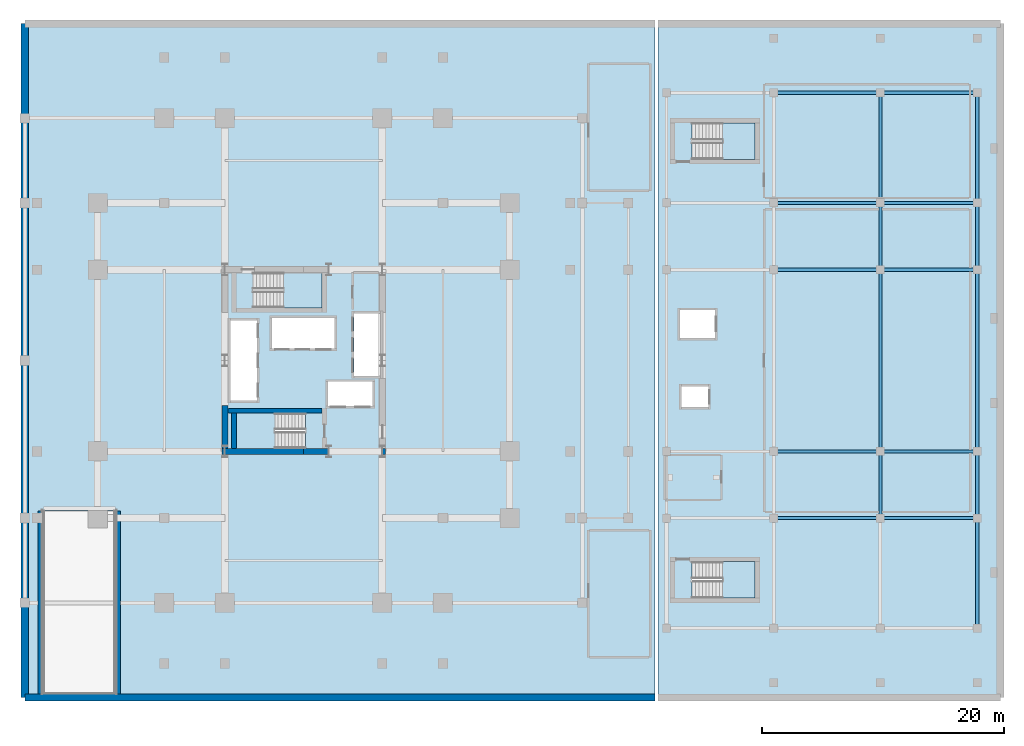
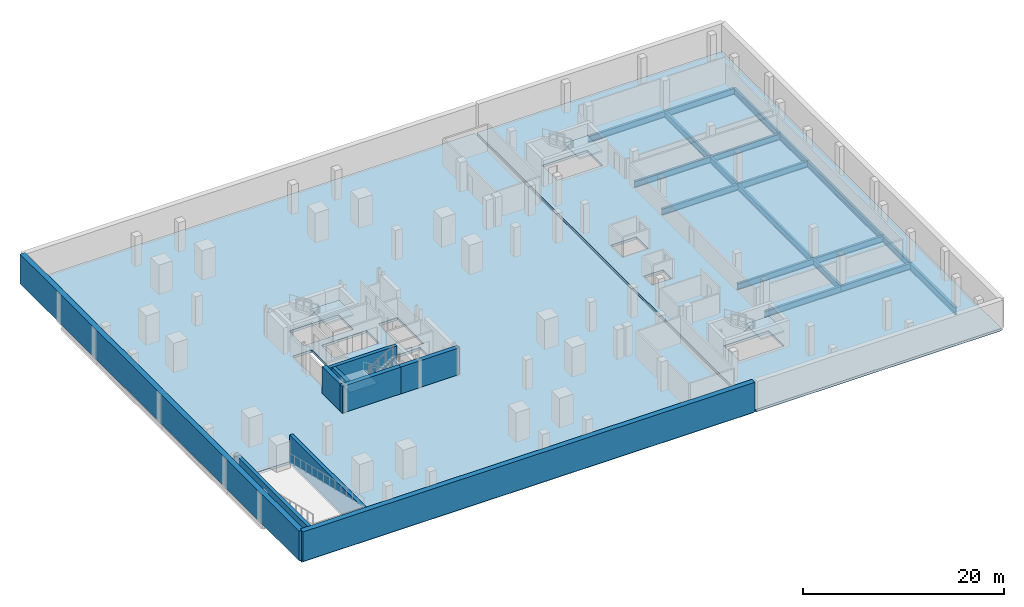
# One storey, part 3 of 11: 19 beams, 9 walls, 6 slabs, 4 elements without a shape of their own.
"""IFC4 building model written with IfcOpenShell, lengths in metres."""

from ifc_helpers import new_model, si_unit, direction, frame, frame_2d, origin, origin_2d, place, context, subcontext, project, spatial, polyline, rectangle, i_section, outline, extrude, material, layer, layer_set, material_profile, profile_set, type_object, element, aggregate, save


model = new_model("IFC4")

# Units and contexts
model_context = context("Model", 3, precision=1e-05, world=origin(), true_north=direction((0.0, 1.0)))
body_context = subcontext(model_context, "Body", "Model", "MODEL_VIEW")
ifc_project = project(units=[si_unit("LENGTHUNIT", "METRE"), si_unit("AREAUNIT", "SQUARE_METRE"), si_unit("VOLUMEUNIT", "CUBIC_METRE"), si_unit("PLANEANGLEUNIT", "RADIAN"), si_unit("MASSUNIT", "GRAM", prefix="KILO")], contexts=[model_context])

# Site, building, storey
site_placement = place(None, origin())
site = spatial("IfcSite", under=ifc_project, at=site_placement, CompositionType="ELEMENT")
building_placement = place(site_placement, origin())
building = spatial("IfcBuilding", under=site, at=building_placement, Name="Barlavira Tower and Art Museum", CompositionType="ELEMENT")
storey_placement = place(building_placement, frame((0.0, 0.0, -3.60009765625)))
storey = spatial("IfcBuildingStorey", under=building, at=storey_placement, Name="B01", CompositionType="ELEMENT", Elevation=-3.60009765625)

# Beams
ifc_material_1 = material(Name="Steel S355", Category="steel")
ifc_material_profile_1 = material_profile(ifc_material_1, i_section(OverallWidth=0.2939453125, OverallDepth=0.85107421875, WebThickness=0.017333984375, FlangeThickness=0.0283203125, at=origin_2d()), Name="W840x251.0")
ifc_profile_set_1 = profile_set([ifc_material_profile_1], Name="Steel S355")
beam_type_1 = type_object("IfcBeamType", Name="Museum Auditorium Heavy Girder W840x251 Steel S355", PredefinedType="BEAM", material=ifc_profile_set_1)
beam_1_placement = place(storey_placement, frame((55.60009765625, -22.10009765625, -0.725341796875), z_axis=(0.0, 1.0, 0.0), x_axis=(-1.0, 0.0, 0.0)))
element("IfcBeam", 1, at=beam_1_placement, inside=storey, type_object=beam_type_1, Name="B01 Museum Girder Y 4-1", PredefinedType="BEAM", context=body_context, shape_type="SweptSolid", body=[
    extrude(i_section(OverallWidth=0.2939453125, OverallDepth=0.85107421875, WebThickness=0.017333984375, FlangeThickness=0.0283203125, at=origin_2d()), origin(), (0.0, 0.0, 1.0), 9.10009765625),
])
ifc_material_profile_2 = material_profile(ifc_material_1, i_section(OverallWidth=0.26904296875, OverallDepth=0.76806640625, WebThickness=0.016845703125, FlangeThickness=0.026611328125, at=origin_2d()), Name="W760x220.0")
ifc_profile_set_2 = profile_set([ifc_material_profile_2], Name="Steel S355")
beam_type_2 = type_object("IfcBeamType", Name="Museum Long-Span Gallery Girder W760x220 Steel S355", PredefinedType="BEAM", material=ifc_profile_set_2)
beam_2_placement = place(storey_placement, frame((47.60009765625, -13.0, -0.683837890625), z_axis=(0.0, 1.0, 0.0), x_axis=(-1.0, 0.0, 0.0)))
element("IfcBeam", 2, at=beam_2_placement, inside=storey, type_object=beam_type_2, Name="B01 Museum Girder Y 3-2", PredefinedType="BEAM", context=body_context, shape_type="SweptSolid", body=[
    extrude(i_section(OverallWidth=0.26904296875, OverallDepth=0.76806640625, WebThickness=0.016845703125, FlangeThickness=0.026611328125, at=origin_2d()), origin(), (0.0, 0.0, 1.0), 5.5),
])
beam_3_placement = place(storey_placement, frame((47.60009765625, -7.5, -0.683837890625), z_axis=(0.0, 1.0, 0.0), x_axis=(-1.0, 0.0, 0.0)))
element("IfcBeam", 3, at=beam_3_placement, inside=storey, type_object=beam_type_2, Name="B01 Museum Girder Y 3-3", PredefinedType="BEAM", context=body_context, shape_type="SweptSolid", body=[
    extrude(i_section(OverallWidth=0.26904296875, OverallDepth=0.76806640625, WebThickness=0.016845703125, FlangeThickness=0.026611328125, at=origin_2d()), origin(), (0.0, 0.0, 1.0), 15.0),
])
beam_4_placement = place(storey_placement, frame((47.60009765625, 7.5, -0.683837890625), z_axis=(0.0, 1.0, 0.0), x_axis=(-1.0, 0.0, 0.0)))
element("IfcBeam", 4, at=beam_4_placement, inside=storey, type_object=beam_type_2, Name="B01 Museum Girder Y 3-4", PredefinedType="BEAM", context=body_context, shape_type="SweptSolid", body=[
    extrude(i_section(OverallWidth=0.26904296875, OverallDepth=0.76806640625, WebThickness=0.016845703125, FlangeThickness=0.026611328125, at=origin_2d()), origin(), (0.0, 0.0, 1.0), 5.5),
])
beam_5_placement = place(storey_placement, frame((47.60009765625, 13.0, -0.683837890625), z_axis=(0.0, 1.0, 0.0), x_axis=(-1.0, 0.0, 0.0)))
element("IfcBeam", 5, at=beam_5_placement, inside=storey, type_object=beam_type_2, Name="B01 Museum Girder Y 3-5", PredefinedType="BEAM", context=body_context, shape_type="SweptSolid", body=[
    extrude(i_section(OverallWidth=0.26904296875, OverallDepth=0.76806640625, WebThickness=0.016845703125, FlangeThickness=0.026611328125, at=origin_2d()), origin(), (0.0, 0.0, 1.0), 9.10009765625),
])
beam_6_placement = place(storey_placement, frame((55.60009765625, -13.0, -0.683837890625), z_axis=(0.0, 1.0, 0.0), x_axis=(-1.0, 0.0, 0.0)))
element("IfcBeam", 6, at=beam_6_placement, inside=storey, type_object=beam_type_2, Name="B01 Museum Girder Y 4-2", PredefinedType="BEAM", context=body_context, shape_type="SweptSolid", body=[
    extrude(i_section(OverallWidth=0.26904296875, OverallDepth=0.76806640625, WebThickness=0.016845703125, FlangeThickness=0.026611328125, at=origin_2d()), origin(), (0.0, 0.0, 1.0), 5.5),
])
beam_7_placement = place(storey_placement, frame((55.60009765625, -7.5, -0.683837890625), z_axis=(0.0, 1.0, 0.0), x_axis=(-1.0, 0.0, 0.0)))
element("IfcBeam", 7, at=beam_7_placement, inside=storey, type_object=beam_type_2, Name="B01 Museum Girder Y 4-3", PredefinedType="BEAM", context=body_context, shape_type="SweptSolid", body=[
    extrude(i_section(OverallWidth=0.26904296875, OverallDepth=0.76806640625, WebThickness=0.016845703125, FlangeThickness=0.026611328125, at=origin_2d()), origin(), (0.0, 0.0, 1.0), 15.0),
])
beam_8_placement = place(storey_placement, frame((55.60009765625, 7.5, -0.683837890625), z_axis=(0.0, 1.0, 0.0), x_axis=(-1.0, 0.0, 0.0)))
element("IfcBeam", 8, at=beam_8_placement, inside=storey, type_object=beam_type_2, Name="B01 Museum Girder Y 4-4", PredefinedType="BEAM", context=body_context, shape_type="SweptSolid", body=[
    extrude(i_section(OverallWidth=0.26904296875, OverallDepth=0.76806640625, WebThickness=0.016845703125, FlangeThickness=0.026611328125, at=origin_2d()), origin(), (0.0, 0.0, 1.0), 5.5),
])
beam_9_placement = place(storey_placement, frame((55.60009765625, 13.0, -0.683837890625), z_axis=(0.0, 1.0, 0.0), x_axis=(-1.0, 0.0, 0.0)))
element("IfcBeam", 9, at=beam_9_placement, inside=storey, type_object=beam_type_2, Name="B01 Museum Girder Y 4-5", PredefinedType="BEAM", context=body_context, shape_type="SweptSolid", body=[
    extrude(i_section(OverallWidth=0.26904296875, OverallDepth=0.76806640625, WebThickness=0.016845703125, FlangeThickness=0.026611328125, at=origin_2d()), origin(), (0.0, 0.0, 1.0), 9.10009765625),
])
beam_10_placement = place(storey_placement, frame((38.800048828125, -13.0, -0.683837890625), z_axis=(1.0, 0.0, 0.0), x_axis=(0.0, 1.0, 0.0)))
element("IfcBeam", 10, at=beam_10_placement, inside=storey, type_object=beam_type_2, Name="B01 Museum Girder X 2-2", PredefinedType="BEAM", context=body_context, shape_type="SweptSolid", body=[
    extrude(i_section(OverallWidth=0.26904296875, OverallDepth=0.76806640625, WebThickness=0.016845703125, FlangeThickness=0.026611328125, at=origin_2d()), origin(), (0.0, 0.0, 1.0), 8.800048828125),
])
beam_11_placement = place(storey_placement, frame((47.60009765625, -13.0, -0.683837890625), z_axis=(1.0, 0.0, 0.0), x_axis=(0.0, 1.0, 0.0)))
element("IfcBeam", 11, at=beam_11_placement, inside=storey, type_object=beam_type_2, Name="B01 Museum Girder X 2-3", PredefinedType="BEAM", context=body_context, shape_type="SweptSolid", body=[
    extrude(i_section(OverallWidth=0.26904296875, OverallDepth=0.76806640625, WebThickness=0.016845703125, FlangeThickness=0.026611328125, at=origin_2d()), origin(), (0.0, 0.0, 1.0), 8.0),
])
beam_12_placement = place(storey_placement, frame((38.800048828125, -7.5, -0.683837890625), z_axis=(1.0, 0.0, 0.0), x_axis=(0.0, 1.0, 0.0)))
element("IfcBeam", 12, at=beam_12_placement, inside=storey, type_object=beam_type_2, Name="B01 Museum Girder X 3-2", PredefinedType="BEAM", context=body_context, shape_type="SweptSolid", body=[
    extrude(i_section(OverallWidth=0.26904296875, OverallDepth=0.76806640625, WebThickness=0.016845703125, FlangeThickness=0.026611328125, at=origin_2d()), origin(), (0.0, 0.0, 1.0), 8.800048828125),
])
beam_13_placement = place(storey_placement, frame((47.60009765625, -7.5, -0.683837890625), z_axis=(1.0, 0.0, 0.0), x_axis=(0.0, 1.0, 0.0)))
element("IfcBeam", 13, at=beam_13_placement, inside=storey, type_object=beam_type_2, Name="B01 Museum Girder X 3-3", PredefinedType="BEAM", context=body_context, shape_type="SweptSolid", body=[
    extrude(i_section(OverallWidth=0.26904296875, OverallDepth=0.76806640625, WebThickness=0.016845703125, FlangeThickness=0.026611328125, at=origin_2d()), origin(), (0.0, 0.0, 1.0), 8.0),
])
beam_14_placement = place(storey_placement, frame((38.800048828125, 7.5, -0.683837890625), z_axis=(1.0, 0.0, 0.0), x_axis=(0.0, 1.0, 0.0)))
element("IfcBeam", 14, at=beam_14_placement, inside=storey, type_object=beam_type_2, Name="B01 Museum Girder X 4-2", PredefinedType="BEAM", context=body_context, shape_type="SweptSolid", body=[
    extrude(i_section(OverallWidth=0.26904296875, OverallDepth=0.76806640625, WebThickness=0.016845703125, FlangeThickness=0.026611328125, at=origin_2d()), origin(), (0.0, 0.0, 1.0), 8.800048828125),
])
beam_15_placement = place(storey_placement, frame((47.60009765625, 7.5, -0.683837890625), z_axis=(1.0, 0.0, 0.0), x_axis=(0.0, 1.0, 0.0)))
element("IfcBeam", 15, at=beam_15_placement, inside=storey, type_object=beam_type_2, Name="B01 Museum Girder X 4-3", PredefinedType="BEAM", context=body_context, shape_type="SweptSolid", body=[
    extrude(i_section(OverallWidth=0.26904296875, OverallDepth=0.76806640625, WebThickness=0.016845703125, FlangeThickness=0.026611328125, at=origin_2d()), origin(), (0.0, 0.0, 1.0), 8.0),
])
beam_16_placement = place(storey_placement, frame((38.800048828125, 13.0, -0.683837890625), z_axis=(1.0, 0.0, 0.0), x_axis=(0.0, 1.0, 0.0)))
element("IfcBeam", 16, at=beam_16_placement, inside=storey, type_object=beam_type_2, Name="B01 Museum Girder X 5-2", PredefinedType="BEAM", context=body_context, shape_type="SweptSolid", body=[
    extrude(i_section(OverallWidth=0.26904296875, OverallDepth=0.76806640625, WebThickness=0.016845703125, FlangeThickness=0.026611328125, at=origin_2d()), origin(), (0.0, 0.0, 1.0), 8.800048828125),
])
beam_17_placement = place(storey_placement, frame((47.60009765625, 13.0, -0.683837890625), z_axis=(1.0, 0.0, 0.0), x_axis=(0.0, 1.0, 0.0)))
element("IfcBeam", 17, at=beam_17_placement, inside=storey, type_object=beam_type_2, Name="B01 Museum Girder X 5-3", PredefinedType="BEAM", context=body_context, shape_type="SweptSolid", body=[
    extrude(i_section(OverallWidth=0.26904296875, OverallDepth=0.76806640625, WebThickness=0.016845703125, FlangeThickness=0.026611328125, at=origin_2d()), origin(), (0.0, 0.0, 1.0), 8.0),
])
beam_18_placement = place(storey_placement, frame((38.800048828125, 22.10009765625, -0.683837890625), z_axis=(1.0, 0.0, 0.0), x_axis=(0.0, 1.0, 0.0)))
element("IfcBeam", 18, at=beam_18_placement, inside=storey, type_object=beam_type_2, Name="B01 Museum Girder X 6-2", PredefinedType="BEAM", context=body_context, shape_type="SweptSolid", body=[
    extrude(i_section(OverallWidth=0.26904296875, OverallDepth=0.76806640625, WebThickness=0.016845703125, FlangeThickness=0.026611328125, at=origin_2d()), origin(), (0.0, 0.0, 1.0), 8.800048828125),
])
beam_19_placement = place(storey_placement, frame((47.60009765625, 22.10009765625, -0.683837890625), z_axis=(1.0, 0.0, 0.0), x_axis=(0.0, 1.0, 0.0)))
element("IfcBeam", 19, at=beam_19_placement, inside=storey, type_object=beam_type_2, Name="B01 Museum Girder X 6-3", PredefinedType="BEAM", context=body_context, shape_type="SweptSolid", body=[
    extrude(i_section(OverallWidth=0.26904296875, OverallDepth=0.76806640625, WebThickness=0.016845703125, FlangeThickness=0.026611328125, at=origin_2d()), origin(), (0.0, 0.0, 1.0), 8.0),
])

# Slabs
ifc_material_2 = material(Name="Concrete C50", Category="concrete")
ifc_layer_1 = layer(ifc_material_2, 0.300048828125, Name="Concrete C50")
ifc_layer_set_1 = layer_set([ifc_layer_1], Name="Concrete C50")
slab_type_1 = type_object("IfcSlabType", Name="Basement Suspended Car-Park Slab 300 Concrete C50", PredefinedType="FLOOR", material=ifc_layer_set_1)
slab_1_placement = place(storey_placement, frame((0.0, 0.0, -0.2998046875)))
element("IfcSlab", 20, at=slab_1_placement, inside=storey, type_object=slab_type_1, Name="B01 Tower and Arcade Basement Slab", PredefinedType="FLOOR", context=body_context, shape_type="SweptSolid", body=[
    extrude(outline(polyline([(-23.0, -27.800048828125), (29.0, -27.800048828125), (29.0, 27.800048828125), (-23.0, 27.800048828125), (-23.0, -27.800048828125)]), holes=[polyline([(0.14990234375, -4.35009765625), (-5.550048828125, -4.35009765625), (-5.550048828125, -7.25), (0.14990234375, -7.25), (0.14990234375, -4.35009765625)]), polyline([(-4.169921875, 4.35009765625), (1.530029296875, 4.35009765625), (1.530029296875, 7.25), (-4.169921875, 7.25), (-4.169921875, 4.35009765625)]), polyline([(-6.050048828125, -3.31005859375), (-3.85009765625, -3.31005859375), (-3.85009765625, 3.31005859375), (-6.050048828125, 3.31005859375), (-6.050048828125, -3.31005859375)]), polyline([(4.14990234375, -1.2900390625), (6.35009765625, -1.2900390625), (6.35009765625, 3.889892578125), (4.14990234375, 3.889892578125), (4.14990234375, -1.2900390625)]), polyline([(-2.6201171875, 1.0), (2.56005859375, 1.0), (2.56005859375, 3.5), (-2.6201171875, 3.5), (-2.6201171875, 1.0)]), polyline([(2.0, -3.75), (5.699951171875, -3.75), (5.699951171875, -1.75), (2.0, -1.75), (2.0, -3.75)]), polyline([(-21.5, -27.39990234375), (-15.5, -27.39990234375), (-15.5, -12.39990234375), (-21.5, -12.39990234375), (-21.5, -27.39990234375)])]), origin(), (0.0, 0.0, 1.0), 0.2998046875),
])
slab_2_placement = place(storey_placement, frame((0.0, 0.0, -0.2998046875)))
element("IfcSlab", 21, at=slab_2_placement, inside=storey, type_object=slab_type_1, Name="B01 Museum Basement Slab", PredefinedType="FLOOR", context=body_context, shape_type="SweptSolid", body=[
    extrude(outline(polyline([(29.25, -27.800048828125), (57.5, -27.800048828125), (57.5, 27.800048828125), (29.25, 27.800048828125), (29.25, -27.800048828125)]), holes=[polyline([(32.070068359375, -19.60009765625), (37.25, -19.60009765625), (37.25, -16.60009765625), (32.070068359375, -16.60009765625), (32.070068359375, -19.60009765625)]), polyline([(32.070068359375, 16.60009765625), (37.25, 16.60009765625), (37.25, 19.60009765625), (32.070068359375, 19.60009765625), (32.070068359375, 16.60009765625)]), polyline([(31.199951171875, -3.85009765625), (33.39990234375, -3.85009765625), (33.39990234375, -2.14990234375), (31.199951171875, -2.14990234375), (31.199951171875, -3.85009765625)]), polyline([(31.050048828125, 1.85009765625), (33.949951171875, 1.85009765625), (33.949951171875, 4.14990234375), (31.050048828125, 4.14990234375), (31.050048828125, 1.85009765625)])]), origin(), (0.0, 0.0, 1.0), 0.2998046875),
])

# Stair, slab
ifc_material_3 = material(Name="Concrete C45", Category="concrete")
stair_type_1 = type_object("IfcStairType", Name="Museum North Dog-Leg Exit Stair Assembly Concrete C45", PredefinedType="TWO_QUARTER_TURN_STAIR", material=ifc_material_3)
stair_1_placement = place(storey_placement, origin())
stair_1 = element("IfcStair", 22, at=stair_1_placement, inside=storey, type_object=stair_type_1, Name="B01 Museum North Exit Stair ST-M2", PredefinedType="TWO_QUARTER_TURN_STAIR")
ifc_layer_2 = layer(ifc_material_3, 0.199951171875, Name="Concrete C45")
ifc_layer_set_2 = layer_set([ifc_layer_2], Name="Concrete C45")
slab_type_2 = type_object("IfcSlabType", Name="Museum North Dog-Leg Exit Stair Half-Landing Slab 200 Concrete C45", PredefinedType="LANDING", material=ifc_layer_set_2)
slab_3_placement = place(storey_placement, frame((0.0, 0.0, 1.60009765625)))
slab_3 = element("IfcSlab", 23, at=slab_3_placement, type_object=slab_type_2, Name="ST-M2 landing 1", PredefinedType="LANDING", context=body_context, shape_type="SweptSolid", body=[
    extrude(outline(polyline([(34.590087890625, 16.60009765625), (37.25, 16.60009765625), (37.25, 19.60009765625), (34.590087890625, 19.60009765625), (34.590087890625, 16.60009765625)])), origin(), (0.0, 0.0, 1.0), 0.199951171875),
])
aggregate(stair_1, [slab_3])

stair_type_2 = type_object("IfcStairType", Name="Museum South Dog-Leg Exit Stair Assembly Concrete C45", PredefinedType="TWO_QUARTER_TURN_STAIR", material=ifc_material_3)
stair_2_placement = place(storey_placement, origin())
stair_2 = element("IfcStair", 24, at=stair_2_placement, inside=storey, type_object=stair_type_2, Name="B01 Museum South Exit Stair ST-M1", PredefinedType="TWO_QUARTER_TURN_STAIR")
ifc_layer_3 = layer(ifc_material_3, 0.199951171875, Name="Concrete C45")
ifc_layer_set_3 = layer_set([ifc_layer_3], Name="Concrete C45")
slab_type_3 = type_object("IfcSlabType", Name="Museum South Dog-Leg Exit Stair Half-Landing Slab 200 Concrete C45", PredefinedType="LANDING", material=ifc_layer_set_3)
slab_4_placement = place(storey_placement, frame((0.0, 0.0, 1.60009765625)))
slab_4 = element("IfcSlab", 25, at=slab_4_placement, type_object=slab_type_3, Name="ST-M1 landing 1", PredefinedType="LANDING", context=body_context, shape_type="SweptSolid", body=[
    extrude(outline(polyline([(34.590087890625, -19.60009765625), (37.25, -19.60009765625), (37.25, -16.60009765625), (34.590087890625, -16.60009765625), (34.590087890625, -19.60009765625)])), origin(), (0.0, 0.0, 1.0), 0.199951171875),
])
aggregate(stair_2, [slab_4])

stair_type_3 = type_object("IfcStairType", Name="Tower North Dog-Leg Exit Stair Assembly Concrete C45", PredefinedType="TWO_QUARTER_TURN_STAIR", material=ifc_material_3)
stair_3_placement = place(storey_placement, origin())
stair_3 = element("IfcStair", 26, at=stair_3_placement, inside=storey, type_object=stair_type_3, Name="B01 Tower North Exit Stair ST-T2", PredefinedType="TWO_QUARTER_TURN_STAIR")
ifc_layer_4 = layer(ifc_material_3, 0.199951171875, Name="Concrete C45")
ifc_layer_set_4 = layer_set([ifc_layer_4], Name="Concrete C45")
slab_type_4 = type_object("IfcSlabType", Name="Tower North Dog-Leg Exit Stair Half-Landing Slab 200 Concrete C45", PredefinedType="LANDING", material=ifc_layer_set_4)
slab_5_placement = place(storey_placement, frame((0.0, 0.0, 1.60009765625)))
slab_5 = element("IfcSlab", 27, at=slab_5_placement, type_object=slab_type_4, Name="ST-T2 landing 1", PredefinedType="LANDING", context=body_context, shape_type="SweptSolid", body=[
    extrude(outline(polyline([(-1.64990234375, 4.35009765625), (1.530029296875, 4.35009765625), (1.530029296875, 7.25), (-1.64990234375, 7.25), (-1.64990234375, 4.35009765625)])), origin(), (0.0, 0.0, 1.0), 0.199951171875),
])
aggregate(stair_3, [slab_5])

stair_type_4 = type_object("IfcStairType", Name="Tower South Dog-Leg Exit Stair Assembly Concrete C45", PredefinedType="TWO_QUARTER_TURN_STAIR", material=ifc_material_3)
stair_4_placement = place(storey_placement, origin())
stair_4 = element("IfcStair", 28, at=stair_4_placement, inside=storey, type_object=stair_type_4, Name="B01 Tower South Exit Stair ST-T1", PredefinedType="TWO_QUARTER_TURN_STAIR")
ifc_layer_5 = layer(ifc_material_3, 0.199951171875, Name="Concrete C45")
ifc_layer_set_5 = layer_set([ifc_layer_5], Name="Concrete C45")
slab_type_5 = type_object("IfcSlabType", Name="Tower South Dog-Leg Exit Stair Half-Landing Slab 200 Concrete C45", PredefinedType="LANDING", material=ifc_layer_set_5)
slab_6_placement = place(storey_placement, frame((0.0, 0.0, 1.60009765625)))
slab_6 = element("IfcSlab", 29, at=slab_6_placement, type_object=slab_type_5, Name="ST-T1 landing 1", PredefinedType="LANDING", context=body_context, shape_type="SweptSolid", body=[
    extrude(outline(polyline([(-2.3701171875, -4.35009765625), (-5.550048828125, -4.35009765625), (-5.550048828125, -7.25), (-2.3701171875, -7.25), (-2.3701171875, -4.35009765625)])), origin(), (0.0, 0.0, 1.0), 0.199951171875),
])
aggregate(stair_4, [slab_6])

# Walls
ifc_material_4 = material(Name="Concrete C60", Category="concrete")
ifc_layer_6 = layer(ifc_material_4, 0.5, Name="Concrete C60")
ifc_layer_set_6 = layer_set([ifc_layer_6], Name="Concrete C60")
wall_type_1 = type_object("IfcWallType", Name="Core Structural Shear Wall 500 Concrete C60", PredefinedType="SHEAR", material=ifc_layer_set_6)
for number, where, z_axis, x_axis, name in (
    (30, (-6.75, -7.5, 0.0), (0.0, 0.0, 1.0), (1.0, 0.0, 0.0), "B01 Core Shear Wall CS-SW"),
    (31, (0.0, -7.5, 0.0), (0.0, 0.0, 1.0), (1.0, 0.0, 0.0), "B01 Core Shear Wall CS-SE"),
):
    element("IfcWall", number, at=place(storey_placement, frame(where, z_axis=z_axis, x_axis=x_axis)), inside=storey, type_object=wall_type_1, Name=name, PredefinedType="SHEAR", context=body_context, shape_type="SweptSolid", body=[
        extrude(rectangle(XDim=6.75, YDim=0.5, at=frame_2d((3.375, 0.0))), origin(), (0.0, 0.0, 1.0), 3.25),
    ])
wall_1_placement = place(storey_placement, frame((-6.5, -7.25, 0.0), z_axis=(0.0, 0.0, 1.0), x_axis=(0.0, 1.0, 0.0)))
element("IfcWall", 32, at=wall_1_placement, inside=storey, type_object=wall_type_1, Name="B01 Core Shear Wall CS-W1", PredefinedType="SHEAR", context=body_context, shape_type="SweptSolid", body=[
    extrude(rectangle(XDim=3.550048828125, YDim=0.5, at=frame_2d((1.77490234375, 0.0))), origin(), (0.0, 0.0, 1.0), 3.25),
])
ifc_layer_7 = layer(ifc_material_2, 0.60009765625, Name="Concrete C50")
ifc_layer_set_7 = layer_set([ifc_layer_7], Name="Concrete C50")
wall_type_2 = type_object("IfcWallType", Name="Perimeter Basement Retaining Wall 600 Concrete C50", PredefinedType="USERDEFINED", material=ifc_layer_set_7)
wall_2_placement = place(storey_placement, frame((-23.0, 27.800048828125, 0.0), z_axis=(0.0, 0.0, 1.0), x_axis=(0.0, -1.0, 0.0)))
element("IfcWall", 33, at=wall_2_placement, inside=storey, type_object=wall_type_2, Name="B01 Retaining Wall W", ObjectType="RETAININGWALL", PredefinedType="USERDEFINED", context=body_context, shape_type="SweptSolid", body=[
    extrude(rectangle(XDim=55.60009765625, YDim=0.60009765625, at=frame_2d((27.800048828125, 0.0))), origin(), (0.0, 0.0, 1.0), 3.60009765625),
])
wall_3_placement = place(storey_placement, frame((-23.0, -27.800048828125, 0.0), z_axis=(0.0, 0.0, 1.0), x_axis=(1.0, 0.0, 0.0)))
element("IfcWall", 34, at=wall_3_placement, inside=storey, type_object=wall_type_2, Name="B01 Retaining Wall SW", ObjectType="RETAININGWALL", PredefinedType="USERDEFINED", context=body_context, shape_type="SweptSolid", body=[
    extrude(rectangle(XDim=52.0, YDim=0.60009765625, at=frame_2d((26.0, 0.0))), origin(), (0.0, 0.0, 1.0), 3.60009765625),
])
ifc_material_5 = material(Name="Concrete C55", Category="concrete")
ifc_layer_8 = layer(ifc_material_5, 0.39990234375, Name="Concrete C55")
ifc_layer_set_8 = layer_set([ifc_layer_8], Name="Concrete C55")
wall_type_3 = type_object("IfcWallType", Name="Upper Core Shear Wall 400 Concrete C55", PredefinedType="SHEAR", material=ifc_layer_set_8)
wall_4_placement = place(storey_placement, frame((-5.75, -7.25, 0.0), z_axis=(0.0, 0.0, 1.0), x_axis=(0.0, 1.0, 0.0)))
element("IfcWall", 35, at=wall_4_placement, inside=storey, type_object=wall_type_3, Name="B01 ST-T1 West Half-Landing Wall", PredefinedType="SHEAR", context=body_context, shape_type="SweptSolid", body=[
    extrude(rectangle(XDim=2.89990234375, YDim=0.39990234375, at=frame_2d((1.449951171875, 0.0))), origin(), (0.0, 0.0, 1.0), 3.25),
])
wall_5_placement = place(storey_placement, frame((-6.25, -4.14990234375, 0.0), z_axis=(0.0, 0.0, 1.0), x_axis=(1.0, 0.0, 0.0)))
element("IfcWall", 36, at=wall_5_placement, inside=storey, type_object=wall_type_3, Name="B01 ST-T1 North Shaft Wall", PredefinedType="SHEAR", context=body_context, shape_type="SweptSolid", body=[
    extrude(rectangle(XDim=7.780029296875, YDim=0.39990234375, at=frame_2d((3.89013671875, 0.0))), origin(), (0.0, 0.0, 1.0), 3.25),
])
for number, where, z_axis, x_axis, name in (
    (37, (-21.699951171875, -27.5, 0.0), (0.0, 0.0, 1.0), (0.0, 1.0, 0.0), "B01 Vehicle Ramp West Structural Wall"),
    (38, (-15.300048828125, -27.5, 0.0), (0.0, 0.0, 1.0), (0.0, 1.0, 0.0), "B01 Vehicle Ramp East Structural Wall"),
):
    element("IfcWall", number, at=place(storey_placement, frame(where, z_axis=z_axis, x_axis=x_axis)), inside=storey, type_object=wall_type_3, Name=name, PredefinedType="SHEAR", context=body_context, shape_type="SweptSolid", body=[
        extrude(rectangle(XDim=15.10009765625, YDim=0.39990234375, at=frame_2d((7.550048828125, 0.0))), origin(), (0.0, 0.0, 1.0), 3.25),
    ])

save(model, "model.ifc")
